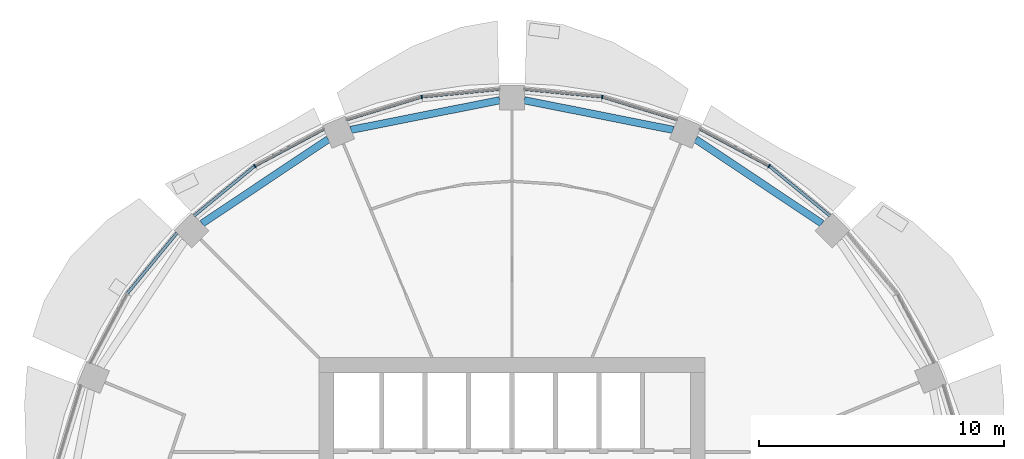
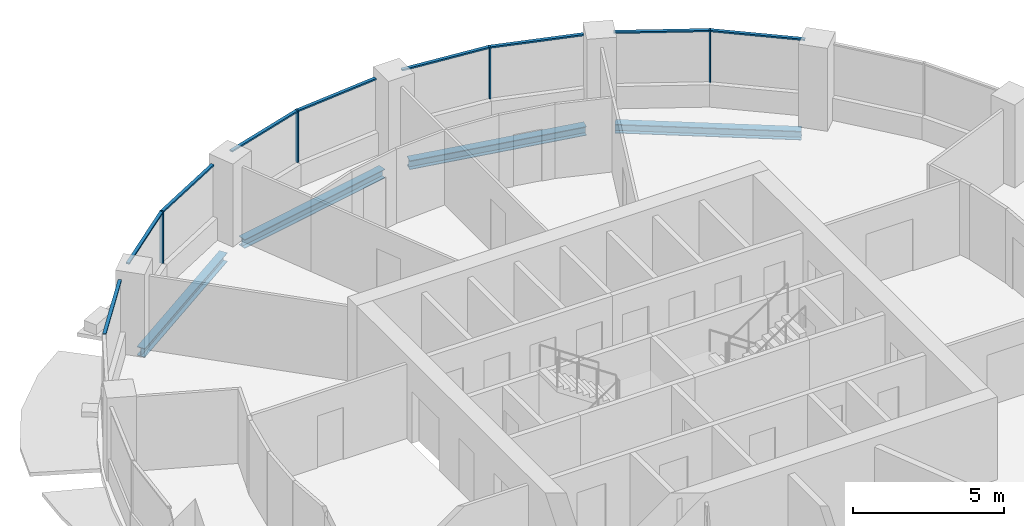
# One storey, part 6 of 15: 13 members, 4 beams, 5 elements without a shape of their own.
"""IFC4 building model written with IfcOpenShell, lengths in metres."""

from ifc_helpers import new_model, si_unit, direction, frame, origin, origin_2d, place, context, subcontext, project, spatial, rectangle, i_section, extrude, material, material_profile, profile_set, type_object, element, aggregate, save


model = new_model("IFC4")

# Units and contexts
model_context = context("Model", 3, precision=1e-05, world=origin(), true_north=direction((0.0, 1.0)))
body_context = subcontext(model_context, "Body", "Model", "MODEL_VIEW")
ifc_project = project(units=[si_unit("LENGTHUNIT", "METRE"), si_unit("AREAUNIT", "SQUARE_METRE"), si_unit("VOLUMEUNIT", "CUBIC_METRE"), si_unit("PLANEANGLEUNIT", "RADIAN"), si_unit("MASSUNIT", "GRAM", prefix="KILO")], contexts=[model_context])

# Site, building, storey
site_placement = place(None, origin())
site = spatial("IfcSite", under=ifc_project, at=site_placement, CompositionType="ELEMENT")
building_placement = place(site_placement, origin())
building = spatial("IfcBuilding", under=site, at=building_placement, Name="Polderwave Tower", CompositionType="ELEMENT")
storey_placement = place(building_placement, frame((0.0, 0.0, 120.949951171875)))
storey = spatial("IfcBuildingStorey", under=building, at=storey_placement, Name="L31", CompositionType="ELEMENT", Elevation=120.949951171875)

# Curtain wall, member
ifc_material_1 = material(Name="Aluminium 6063-T6 and glass", Category="aluminium")
curtain_wall_type = type_object("IfcCurtainWallType", Name="Office ribbon glazing wall", PredefinedType="NOTDEFINED", material=ifc_material_1)
curtain_wall_1_placement = place(storey_placement, origin())
curtain_wall_1 = element("IfcCurtainWall", 1, at=curtain_wall_1_placement, inside=storey, type_object=curtain_wall_type, Name="CW3 L31 02", PredefinedType="NOTDEFINED")
ifc_material_2 = material(Name="Aluminium 6063-T6", Category="aluminium")
ifc_material_profile_1 = material_profile(ifc_material_2, rectangle(XDim=0.139892578125, YDim=0.054931640625, at=origin_2d()), Name="AL 55x140")
ifc_profile_set_1 = profile_set([ifc_material_profile_1], Name="Aluminium 6063-T6")
member_type_1 = type_object("IfcMemberType", Name="Office ribbon glazing mullion 55x140", PredefinedType="MULLION", material=ifc_profile_set_1)
member_1_placement = place(storey_placement, frame((10.47802734375, 15.681884765625, 0.900146484375), z_axis=(0.0, 0.0, 1.0), x_axis=(-0.555594902975, -0.831453127836, 0.0)))
member_1 = element("IfcMember", 2, at=member_1_placement, type_object=member_type_1, Name="CW3 mullion 1", PredefinedType="MULLION", context=body_context, shape_type="SweptSolid", body=[
    extrude(rectangle(XDim=0.139892578125, YDim=0.054931640625, at=origin_2d()), origin(), (0.0, 0.0, 1.0), 2.099853515625),
])

curtain_wall_2_placement = place(storey_placement, origin())
curtain_wall_2 = element("IfcCurtainWall", 3, at=curtain_wall_2_placement, inside=storey, type_object=curtain_wall_type, Name="CW3 L31 03", PredefinedType="NOTDEFINED")
member_2_placement = place(storey_placement, frame((3.678955078125, 18.498046875, 0.900146484375), z_axis=(0.0, 0.0, 1.0), x_axis=(-0.195127981324, -0.98077778875, 0.0)))
member_2 = element("IfcMember", 4, at=member_2_placement, type_object=member_type_1, Name="CW3 mullion 1", PredefinedType="MULLION", context=body_context, shape_type="SweptSolid", body=[
    extrude(rectangle(XDim=0.139892578125, YDim=0.054931640625, at=origin_2d()), origin(), (0.0, 0.0, 1.0), 2.099853515625),
])

curtain_wall_3_placement = place(storey_placement, origin())
curtain_wall_3 = element("IfcCurtainWall", 5, at=curtain_wall_3_placement, inside=storey, type_object=curtain_wall_type, Name="CW3 L31 04", PredefinedType="NOTDEFINED")
member_3_placement = place(storey_placement, frame((-3.678955078125, 18.498046875, 0.900146484375), z_axis=(0.0, 0.0, 1.0), x_axis=(0.195127981324, -0.98077778875, 0.0)))
member_3 = element("IfcMember", 6, at=member_3_placement, type_object=member_type_1, Name="CW3 mullion 1", PredefinedType="MULLION", context=body_context, shape_type="SweptSolid", body=[
    extrude(rectangle(XDim=0.139892578125, YDim=0.054931640625, at=origin_2d()), origin(), (0.0, 0.0, 1.0), 2.099853515625),
])

curtain_wall_4_placement = place(storey_placement, origin())
curtain_wall_4 = element("IfcCurtainWall", 7, at=curtain_wall_4_placement, inside=storey, type_object=curtain_wall_type, Name="CW3 L31 05", PredefinedType="NOTDEFINED")
member_4_placement = place(storey_placement, frame((-10.47802734375, 15.681884765625, 0.900146484375), z_axis=(0.0, 0.0, 1.0), x_axis=(0.555594902975, -0.831453127836, 0.0)))
member_4 = element("IfcMember", 8, at=member_4_placement, type_object=member_type_1, Name="CW3 mullion 1", PredefinedType="MULLION", context=body_context, shape_type="SweptSolid", body=[
    extrude(rectangle(XDim=0.139892578125, YDim=0.054931640625, at=origin_2d()), origin(), (0.0, 0.0, 1.0), 2.099853515625),
])

# Member
ifc_material_profile_2 = material_profile(ifc_material_2, rectangle(XDim=0.1201171875, YDim=0.06005859375, at=origin_2d()), Name="AL 60x120")
ifc_profile_set_2 = profile_set([ifc_material_profile_2], Name="Aluminium 6063-T6")
member_type_2 = type_object("IfcMemberType", Name="Office ribbon glazing transom 60x120", PredefinedType="USERDEFINED", material=ifc_profile_set_2)
member_5_placement = place(storey_placement, frame((12.947998046875, 13.655029296875, 2.969970703125), z_axis=(-0.773025883871, 0.634374481569, 0.0), x_axis=(-0.634374481569, -0.773025883871, 0.0)))
member_5 = element("IfcMember", 9, at=member_5_placement, type_object=member_type_2, Name="CW3 transom 1", ObjectType="TRANSOM", PredefinedType="USERDEFINED", context=body_context, shape_type="SweptSolid", body=[
    extrude(rectangle(XDim=0.1201171875, YDim=0.06005859375, at=origin_2d()), origin(), (0.0, 0.0, 1.0), 3.167724609375),
])

member_6_placement = place(storey_placement, frame((10.45361328125, 15.695068359375, 2.969970703125), z_axis=(-0.881897958208, 0.471440336956, 0.0), x_axis=(-0.471440336956, -0.881897958208, 0.0)))
member_6 = element("IfcMember", 10, at=member_6_placement, type_object=member_type_2, Name="CW3 transom 2", ObjectType="TRANSOM", PredefinedType="USERDEFINED", context=body_context, shape_type="SweptSolid", body=[
    extrude(rectangle(XDim=0.1201171875, YDim=0.06005859375, at=origin_2d()), origin(), (0.0, 0.0, 1.0), 3.166748046875),
])

aggregate(curtain_wall_1, [member_1, member_5, member_6])

member_7_placement = place(storey_placement, frame((6.737060546875, 17.570068359375, 2.969970703125), z_axis=(-0.95691805195, 0.290358126892, 0.0), x_axis=(-0.290358126892, -0.95691805195, 0.0)))
member_7 = element("IfcMember", 11, at=member_7_placement, type_object=member_type_2, Name="CW3 transom 1", ObjectType="TRANSOM", PredefinedType="USERDEFINED", context=body_context, shape_type="SweptSolid", body=[
    extrude(rectangle(XDim=0.1201171875, YDim=0.06005859375, at=origin_2d()), origin(), (0.0, 0.0, 1.0), 3.168212890625),
])

member_8_placement = place(storey_placement, frame((3.651611328125, 18.500732421875, 2.969970703125), z_axis=(-0.9951879261, 0.09798465056, 0.0), x_axis=(-0.09798465056, -0.9951879261, 0.0)))
member_8 = element("IfcMember", 12, at=member_8_placement, type_object=member_type_2, Name="CW3 transom 2", ObjectType="TRANSOM", PredefinedType="USERDEFINED", context=body_context, shape_type="SweptSolid", body=[
    extrude(rectangle(XDim=0.1201171875, YDim=0.06005859375, at=origin_2d()), origin(), (0.0, 0.0, 1.0), 3.166748046875),
])

aggregate(curtain_wall_2, [member_2, member_7, member_8])

member_9_placement = place(storey_placement, frame((-0.5, 18.81103515625, 2.969970703125), z_axis=(-0.9951879261, -0.09798465056, 0.0), x_axis=(0.09798465056, -0.9951879261, 0.0)))
member_9 = element("IfcMember", 13, at=member_9_placement, type_object=member_type_2, Name="CW3 transom 1", ObjectType="TRANSOM", PredefinedType="USERDEFINED", context=body_context, shape_type="SweptSolid", body=[
    extrude(rectangle(XDim=0.1201171875, YDim=0.06005859375, at=origin_2d()), origin(), (0.0, 0.0, 1.0), 3.166748046875),
])

member_10_placement = place(storey_placement, frame((-3.705322265625, 18.489990234375, 2.969970703125), z_axis=(-0.95691805195, -0.290358126892, 0.0), x_axis=(0.290358126892, -0.95691805195, 0.0)))
member_10 = element("IfcMember", 14, at=member_10_placement, type_object=member_type_2, Name="CW3 transom 2", ObjectType="TRANSOM", PredefinedType="USERDEFINED", context=body_context, shape_type="SweptSolid", body=[
    extrude(rectangle(XDim=0.1201171875, YDim=0.06005859375, at=origin_2d()), origin(), (0.0, 0.0, 1.0), 3.168212890625),
])

aggregate(curtain_wall_3, [member_3, member_9, member_10])

member_11_placement = place(storey_placement, frame((-7.660888671875, 17.18798828125, 2.969970703125), z_axis=(-0.881897958208, -0.471440336956, 0.0), x_axis=(0.471440336956, -0.881897958208, 0.0)))
member_11 = element("IfcMember", 15, at=member_11_placement, type_object=member_type_2, Name="CW3 transom 1", ObjectType="TRANSOM", PredefinedType="USERDEFINED", context=body_context, shape_type="SweptSolid", body=[
    extrude(rectangle(XDim=0.1201171875, YDim=0.06005859375, at=origin_2d()), origin(), (0.0, 0.0, 1.0), 3.166748046875),
])

member_12_placement = place(storey_placement, frame((-10.499267578125, 15.66455078125, 2.969970703125), z_axis=(-0.773025883871, -0.634374481569, 0.0), x_axis=(0.634374481569, -0.773025883871, 0.0)))
member_12 = element("IfcMember", 16, at=member_12_placement, type_object=member_type_2, Name="CW3 transom 2", ObjectType="TRANSOM", PredefinedType="USERDEFINED", context=body_context, shape_type="SweptSolid", body=[
    extrude(rectangle(XDim=0.1201171875, YDim=0.06005859375, at=origin_2d()), origin(), (0.0, 0.0, 1.0), 3.167724609375),
])

aggregate(curtain_wall_4, [member_4, member_11, member_12])

# Curtain wall, member
curtain_wall_5_placement = place(storey_placement, origin())
curtain_wall_5 = element("IfcCurtainWall", 17, at=curtain_wall_5_placement, inside=storey, type_object=curtain_wall_type, Name="CW3 L31 06", PredefinedType="NOTDEFINED")
member_13_placement = place(storey_placement, frame((-13.655029296875, 12.947998046875, 2.969970703125), z_axis=(-0.634374481569, -0.773025883871, 0.0), x_axis=(0.773025883871, -0.634374481569, 0.0)))
member_13 = element("IfcMember", 18, at=member_13_placement, type_object=member_type_2, Name="CW3 transom 1", ObjectType="TRANSOM", PredefinedType="USERDEFINED", context=body_context, shape_type="SweptSolid", body=[
    extrude(rectangle(XDim=0.1201171875, YDim=0.06005859375, at=origin_2d()), origin(), (0.0, 0.0, 1.0), 3.167724609375),
])
aggregate(curtain_wall_5, [member_13])

# Beams
ifc_material_3 = material(Name="Steel S355", Category="steel")
ifc_material_profile_3 = material_profile(ifc_material_3, i_section(OverallWidth=0.300048828125, OverallDepth=0.360107421875, WebThickness=0.012451171875, FlangeThickness=0.0224609375, at=origin_2d()), Name="HE 360 B")
ifc_profile_set_3 = profile_set([ifc_material_profile_3], Name="Steel S355")
beam_type = type_object("IfcBeamType", Name="RING BEAM HE 360 B", PredefinedType="BEAM", material=ifc_profile_set_3)
beam_1_placement = place(storey_placement, frame((12.62939453125, 13.33642578125, -0.530029296875), z_axis=(-0.831478837086, 0.555556426907, 0.0), x_axis=(-0.555556426907, -0.831478837086, 0.0)))
element("IfcBeam", 19, at=beam_1_placement, inside=storey, type_object=beam_type, Name="ST-RB-L31-02", PredefinedType="BEAM", context=body_context, shape_type="SweptSolid", body=[
    extrude(i_section(OverallWidth=0.300048828125, OverallDepth=0.360107421875, WebThickness=0.012451171875, FlangeThickness=0.0224609375, at=origin_2d()), origin(), (0.0, 0.0, 1.0), 6.18310546875),
])
for number, where, z_axis, x_axis, name in (
    (20, (6.564453125, 17.154296875, -0.530029296875), (-0.980785153523, 0.195090959886, 0.0), (-0.195090959886, -0.980785153523, 0.0), "ST-RB-L31-03"),
    (21, (-0.5, 18.360595703125, -0.530029296875), (-0.980785153523, -0.195090959886, 0.0), (0.195090959886, -0.980785153523, 0.0), "ST-RB-L31-04"),
):
    element("IfcBeam", number, at=place(storey_placement, frame(where, z_axis=z_axis, x_axis=x_axis)), inside=storey, type_object=beam_type, Name=name, PredefinedType="BEAM", context=body_context, shape_type="SweptSolid", body=[
        extrude(i_section(OverallWidth=0.300048828125, OverallDepth=0.360107421875, WebThickness=0.012451171875, FlangeThickness=0.0224609375, at=origin_2d()), origin(), (0.0, 0.0, 1.0), 6.183349609375),
    ])
beam_2_placement = place(storey_placement, frame((-7.48828125, 16.771484375, -0.530029296875), z_axis=(-0.831478837086, -0.555556426907, 0.0), x_axis=(0.555556426907, -0.831478837086, 0.0)))
element("IfcBeam", 22, at=beam_2_placement, inside=storey, type_object=beam_type, Name="ST-RB-L31-05", PredefinedType="BEAM", context=body_context, shape_type="SweptSolid", body=[
    extrude(i_section(OverallWidth=0.300048828125, OverallDepth=0.360107421875, WebThickness=0.012451171875, FlangeThickness=0.0224609375, at=origin_2d()), origin(), (0.0, 0.0, 1.0), 6.18310546875),
])

save(model, "model.ifc")
